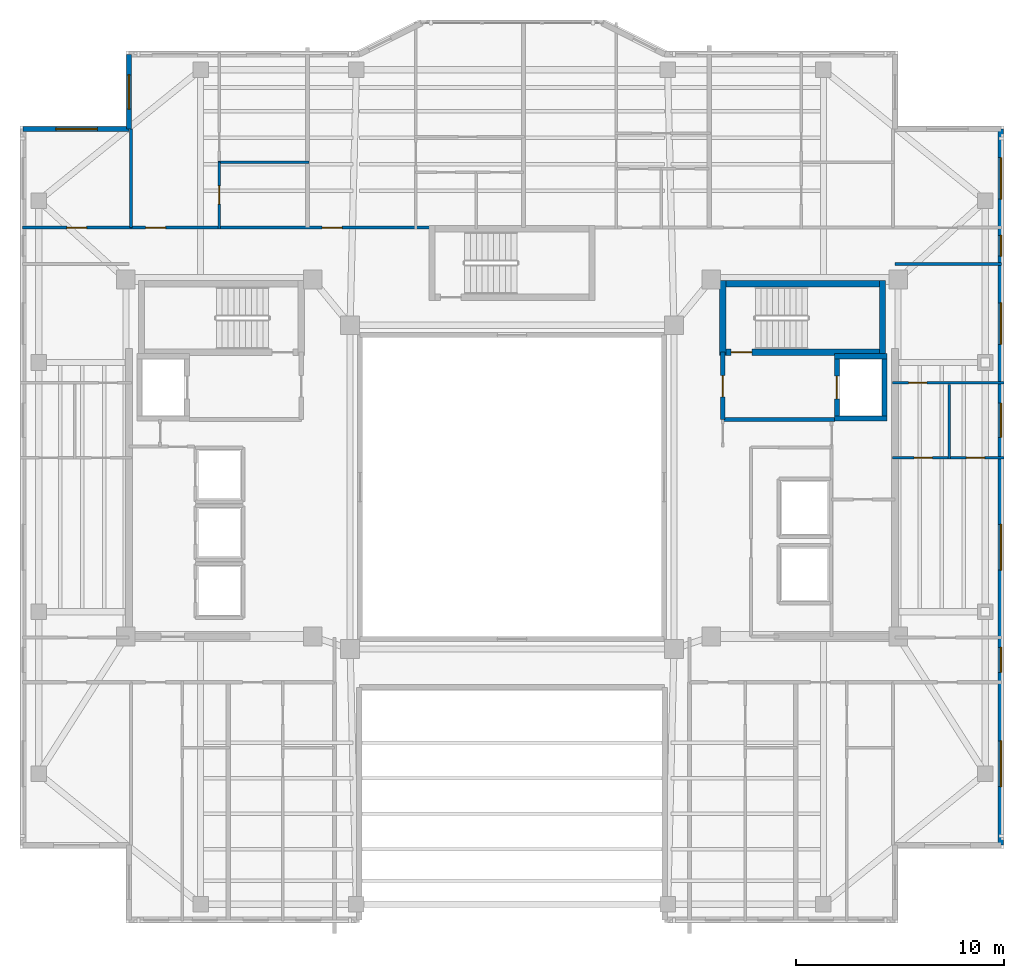
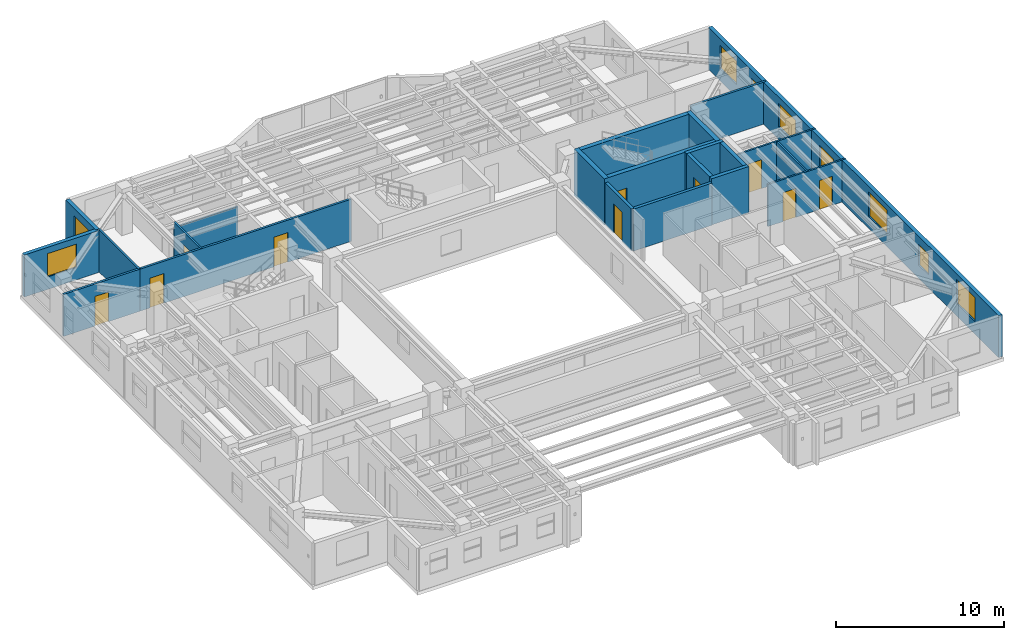
# One storey, part 8 of 13: 22 walls, 10 doors, 9 windows, 19 openings.
"""IFC4 building model written with IfcOpenShell, lengths in metres."""

from ifc_helpers import new_model, si_unit, direction, frame, frame_2d, origin, place, context, subcontext, project, spatial, rectangle, extrude, material, layer, layer_set, type_object, element, fill, save


model = new_model("IFC4")

# Units and contexts
model_context = context("Model", 3, precision=1e-05, world=origin(), true_north=direction((0.0, 1.0)))
body_context = subcontext(model_context, "Body", "Model", "MODEL_VIEW")
ifc_project = project(units=[si_unit("LENGTHUNIT", "METRE"), si_unit("AREAUNIT", "SQUARE_METRE"), si_unit("VOLUMEUNIT", "CUBIC_METRE"), si_unit("PLANEANGLEUNIT", "RADIAN"), si_unit("MASSUNIT", "GRAM", prefix="KILO")], contexts=[model_context])

# Site, building, storey
site_placement = place(None, origin())
site = spatial("IfcSite", under=ifc_project, at=site_placement, CompositionType="ELEMENT")
building_placement = place(site_placement, origin())
building = spatial("IfcBuilding", under=site, at=building_placement, Name="Tarnavaz Court Tower", CompositionType="ELEMENT")
storey_placement = place(building_placement, frame((0.0, 0.0, 223.75)))
storey = spatial("IfcBuildingStorey", under=building, at=storey_placement, Name="L61", CompositionType="ELEMENT", Elevation=223.75)

# Wall, opening, door
ifc_material_1 = material(Name="Concrete C50/60", Category="concrete")
ifc_layer_1 = layer(ifc_material_1, 0.25)
ifc_layer_set_1 = layer_set([ifc_layer_1], Name="Concrete C50/60")
wall_type_1 = type_object("IfcWallType", Name="WL-CORE-250-C50", PredefinedType="SHEAR", material=ifc_layer_set_1)
wall_1_placement = place(storey_placement, frame((15.64990234375, 3.175048828125, 0.0), z_axis=(0.0, 0.0, 1.0), x_axis=(0.0, 1.0, 0.0)))
wall_1 = element("IfcWall", 1, at=wall_1_placement, inside=storey, type_object=wall_type_1, Name="L61 Lift FL-E1 Shaft Wall 033", PredefinedType="SHEAR", context=body_context, shape_type="SweptSolid", body=[
    extrude(rectangle(XDim=3.25, YDim=0.25, at=frame_2d((1.625, 0.0))), origin(), (0.0, 0.0, 1.0), 3.35009765625),
])
opening_1_placement = place(wall_1_placement, frame((1.074951171875, 0.0, 0.0)))
opening_1 = element("IfcOpeningElement", 2, at=opening_1_placement, cuts=wall_1, Name="Opening LD1", PredefinedType="OPENING", context=body_context, shape_type="SweptSolid", body=[
    extrude(rectangle(XDim=1.10009765625, YDim=2.14990234375, at=frame_2d((0.550048828125, 1.074951171875))), frame((0.0, 0.135009765625, 0.0), z_axis=(0.0, -1.0, 0.0), x_axis=(1.0, 0.0, 0.0)), (0.0, 0.0, 1.0), 0.27001953125),
])
ifc_material_2 = material(Name="Stainless Steel", Category="steel")
door_type_1 = type_object("IfcDoorType", Name="DR-LD-1100", OperationType="NOTDEFINED", PredefinedType="DOOR", material=ifc_material_2)
door_1_placement = place(opening_1_placement, origin())
door_1 = element("IfcDoor", 3, at=door_1_placement, inside=storey, type_object=door_type_1, Name="L61 Lift Landing Door LD-FL-E1", OperationType="SLIDING_TO_LEFT", OverallHeight=2.14990234375, OverallWidth=1.10009765625, PredefinedType="DOOR", context=body_context, shape_type="SweptSolid", body=[
    extrude(rectangle(XDim=1.10009765625, YDim=2.14990234375, at=frame_2d((0.550048828125, 1.074951171875))), frame((0.0, 0.02490234375, 0.0), z_axis=(0.0, -1.0, 0.0), x_axis=(1.0, 0.0, 0.0)), (0.0, 0.0, 1.0), 0.050048828125),
])
fill(opening_1, door_1)

# Walls
wall_2_placement = place(storey_placement, frame((17.949951171875, 3.175048828125, 0.0), z_axis=(0.0, 0.0, 1.0), x_axis=(0.0, 1.0, 0.0)))
element("IfcWall", 4, at=wall_2_placement, inside=storey, type_object=wall_type_1, Name="L61 Lift FL-E1 Shaft Wall 034", PredefinedType="SHEAR", context=body_context, shape_type="SweptSolid", body=[
    extrude(rectangle(XDim=3.25, YDim=0.25, at=frame_2d((1.625, 0.0))), origin(), (0.0, 0.0, 1.0), 3.35009765625),
])
for number, where, z_axis, x_axis, name in (
    (5, (15.52490234375, 3.300048828125, 0.0), (0.0, 0.0, 1.0), (1.0, 0.0, 0.0), "L61 Lift FL-E1 Shaft Wall 035"),
    (6, (15.52490234375, 6.300048828125, 0.0), (0.0, 0.0, 1.0), (1.0, 0.0, 0.0), "L61 Lift FL-E1 Shaft Wall 036"),
):
    element("IfcWall", number, at=place(storey_placement, frame(where, z_axis=z_axis, x_axis=x_axis)), inside=storey, type_object=wall_type_1, Name=name, PredefinedType="SHEAR", context=body_context, shape_type="SweptSolid", body=[
        extrude(rectangle(XDim=2.550048828125, YDim=0.25, at=frame_2d((1.27490234375, 0.0))), origin(), (0.0, 0.0, 1.0), 3.35009765625),
    ])
ifc_layer_2 = layer(ifc_material_1, 0.300048828125)
ifc_layer_set_2 = layer_set([ifc_layer_2], Name="Concrete C50/60")
wall_type_2 = type_object("IfcWallType", Name="WL-CORE-300-C50", PredefinedType="SHEAR", material=ifc_layer_set_2)
wall_3_placement = place(storey_placement, frame((10.0, 9.7900390625, 0.0), z_axis=(0.0, 0.0, 1.0), x_axis=(1.0, 0.0, 0.0)))
element("IfcWall", 7, at=wall_3_placement, inside=storey, type_object=wall_type_2, Name="L61 East Stair Core Wall 005", PredefinedType="SHEAR", context=body_context, shape_type="SweptSolid", body=[
    extrude(rectangle(XDim=8.0, YDim=0.300048828125, at=frame_2d((4.0, 0.0))), origin(), (0.0, 0.0, 1.0), 3.35009765625),
])

# Wall, opening, door
wall_4_placement = place(storey_placement, frame((10.0, 6.5, 0.0), z_axis=(0.0, 0.0, 1.0), x_axis=(1.0, 0.0, 0.0)))
wall_4 = element("IfcWall", 8, at=wall_4_placement, inside=storey, type_object=wall_type_2, Name="L61 East Stair Core Wall 006", PredefinedType="SHEAR", context=body_context, shape_type="SweptSolid", body=[
    extrude(rectangle(XDim=8.0, YDim=0.300048828125, at=frame_2d((4.0, 0.0))), origin(), (0.0, 0.0, 1.0), 3.35009765625),
])
opening_2_placement = place(wall_4_placement, frame((0.550048828125, 0.0, 0.0)))
opening_2 = element("IfcOpeningElement", 9, at=opening_2_placement, cuts=wall_4, Name="Opening D01", PredefinedType="OPENING", context=body_context, shape_type="SweptSolid", body=[
    extrude(rectangle(XDim=1.0, YDim=2.14990234375, at=frame_2d((0.5, 1.074951171875))), frame((0.0, 0.159912109375, 0.0), z_axis=(0.0, -1.0, 0.0), x_axis=(1.0, 0.0, 0.0)), (0.0, 0.0, 1.0), 0.320068359375),
])
ifc_material_3 = material(Name="Fire-Rated Hardwood Timber Core", Category="wood")
door_type_2 = type_object("IfcDoorType", Name="DR-FD90-1000", OperationType="NOTDEFINED", PredefinedType="DOOR", material=ifc_material_3)
door_2_placement = place(opening_2_placement, origin())
door_2 = element("IfcDoor", 10, at=door_2_placement, inside=storey, type_object=door_type_2, Name="L61 Stair ST-E1 Exit Door", OperationType="SINGLE_SWING_RIGHT", OverallHeight=2.14990234375, OverallWidth=1.0, PredefinedType="DOOR", context=body_context, shape_type="SweptSolid", body=[
    extrude(rectangle(XDim=1.0, YDim=2.14990234375, at=frame_2d((0.5, 1.074951171875))), frame((0.0, 0.02490234375, 0.0), z_axis=(0.0, -1.0, 0.0), x_axis=(1.0, 0.0, 0.0)), (0.0, 0.0, 1.0), 0.050048828125),
])
fill(opening_2, door_2)

# Walls
for number, where, z_axis, x_axis, name in (
    (11, (10.14990234375, 6.35009765625, 0.0), (0.0, 0.0, 1.0), (0.0, 1.0, 0.0), "L61 East Stair Core Wall 007"),
    (12, (17.85009765625, 6.35009765625, 0.0), (0.0, 0.0, 1.0), (0.0, 1.0, 0.0), "L61 East Stair Core Wall 008"),
):
    element("IfcWall", number, at=place(storey_placement, frame(where, z_axis=z_axis, x_axis=x_axis)), inside=storey, type_object=wall_type_2, Name=name, PredefinedType="SHEAR", context=body_context, shape_type="SweptSolid", body=[
        extrude(rectangle(XDim=3.58984375, YDim=0.300048828125, at=frame_2d((1.794921875, 0.0))), origin(), (0.0, 0.0, 1.0), 3.35009765625),
    ])

# Wall, opening, window
ifc_material_4 = material(Name="Precast Concrete C40/50", Category="concrete")
ifc_layer_3 = layer(ifc_material_4, 0.260009765625)
ifc_layer_set_3 = layer_set([ifc_layer_3], Name="Precast Concrete C40/50")
wall_type_3 = type_object("IfcWallType", Name="WL-EXT-260", PredefinedType="SOLIDWALL", material=ifc_layer_set_3)
wall_5_placement = place(storey_placement, frame((-23.550048828125, 17.25, 0.0), z_axis=(0.0, 0.0, 1.0), x_axis=(1.0, 0.0, 0.0)))
wall_5 = element("IfcWall", 13, at=wall_5_placement, inside=storey, type_object=wall_type_3, Name="L61 Exterior Terracotta Facade Wall 03", PredefinedType="SOLIDWALL", context=body_context, shape_type="SweptSolid", body=[
    extrude(rectangle(XDim=5.10009765625, YDim=0.260009765625, at=frame_2d((2.550048828125, 0.0))), origin(), (0.0, 0.0, 1.0), 3.050048828125),
])
opening_3_placement = place(wall_5_placement, frame((1.574951171875, 0.0, 0.89990234375)))
opening_3 = element("IfcOpeningElement", 14, at=opening_3_placement, cuts=wall_5, Name="Opening W08", PredefinedType="OPENING", context=body_context, shape_type="SweptSolid", body=[
    extrude(rectangle(XDim=2.0, YDim=1.699951171875, at=frame_2d((1.0, 0.85009765625))), frame((0.0, 0.139892578125, 0.0), z_axis=(0.0, -1.0, 0.0), x_axis=(1.0, 0.0, 0.0)), (0.0, 0.0, 1.0), 0.280029296875),
])
ifc_material_5 = material(Name="Double-Glazed Solar Low-E Glass", Category="glass")
window_type_1 = type_object("IfcWindowType", Name="WN-APT-2000", PartitioningType="DOUBLE_PANEL_VERTICAL", PredefinedType="WINDOW", material=ifc_material_5)
window_1_placement = place(opening_3_placement, origin())
window_1 = element("IfcWindow", 15, at=window_1_placement, inside=storey, type_object=window_type_1, Name="L61 North-West Corner Sunroom Study Window", OverallHeight=1.699951171875, OverallWidth=2.0, PartitioningType="SINGLE_PANEL", PredefinedType="WINDOW", context=body_context, shape_type="SweptSolid", body=[
    extrude(rectangle(XDim=2.0, YDim=1.699951171875, at=frame_2d((1.0, 0.85009765625))), frame((0.0, 0.030029296875, 0.0), z_axis=(0.0, -1.0, 0.0), x_axis=(1.0, 0.0, 0.0)), (0.0, 0.0, 1.0), 0.06005859375),
])
fill(opening_3, window_1)

wall_6_placement = place(storey_placement, frame((-18.449951171875, 17.25, 0.0), z_axis=(0.0, 0.0, 1.0), x_axis=(0.0, 1.0, 0.0)))
wall_6 = element("IfcWall", 16, at=wall_6_placement, inside=storey, type_object=wall_type_3, Name="L61 Exterior Terracotta Facade Wall 04", PredefinedType="SOLIDWALL", context=body_context, shape_type="SweptSolid", body=[
    extrude(rectangle(XDim=3.60009765625, YDim=0.260009765625, at=frame_2d((1.800048828125, 0.0))), origin(), (0.0, 0.0, 1.0), 3.050048828125),
])
opening_4_placement = place(wall_6_placement, frame((0.95751953125, 0.0, 0.89990234375)))
opening_4 = element("IfcOpeningElement", 17, at=opening_4_placement, cuts=wall_6, Name="Opening W02", PredefinedType="OPENING", context=body_context, shape_type="SweptSolid", body=[
    extrude(rectangle(XDim=1.64990234375, YDim=1.60009765625, at=frame_2d((0.824951171875, 0.800048828125))), frame((0.0, 0.139892578125, 0.0), z_axis=(0.0, -1.0, 0.0), x_axis=(1.0, 0.0, 0.0)), (0.0, 0.0, 1.0), 0.280029296875),
])
window_type_2 = type_object("IfcWindowType", Name="WN-APT-1650", PartitioningType="DOUBLE_PANEL_VERTICAL", PredefinedType="WINDOW", material=ifc_material_5)
window_2_placement = place(opening_4_placement, origin())
window_2 = element("IfcWindow", 18, at=window_2_placement, inside=storey, type_object=window_type_2, Name="L61 Flat 01 Studio Living and Sleeping Room Window", OverallHeight=1.60009765625, OverallWidth=1.64990234375, PartitioningType="SINGLE_PANEL", PredefinedType="WINDOW", context=body_context, shape_type="SweptSolid", body=[
    extrude(rectangle(XDim=1.64990234375, YDim=1.60009765625, at=frame_2d((0.824951171875, 0.800048828125))), frame((0.0, 0.030029296875, 0.0), z_axis=(0.0, -1.0, 0.0), x_axis=(1.0, 0.0, 0.0)), (0.0, 0.0, 1.0), 0.06005859375),
])
fill(opening_4, window_2)

# Wall, openings, windows
wall_7_placement = place(storey_placement, frame((23.550048828125, 17.25, 0.0), z_axis=(0.0, 0.0, 1.0), x_axis=(0.0, -1.0, 0.0)))
wall_7 = element("IfcWall", 19, at=wall_7_placement, inside=storey, type_object=wall_type_3, Name="L61 Exterior Terracotta Facade Wall 12", PredefinedType="SOLIDWALL", context=body_context, shape_type="SweptSolid", body=[
    extrude(rectangle(XDim=34.5, YDim=0.260009765625, at=frame_2d((17.25, 0.0))), origin(), (0.0, 0.0, 1.0), 3.050048828125),
])
opening_5_placement = place(wall_7_placement, frame((1.375, 0.0, 0.89990234375)))
opening_5 = element("IfcOpeningElement", 20, at=opening_5_placement, cuts=wall_7, Name="Opening W08", PredefinedType="OPENING", context=body_context, shape_type="SweptSolid", body=[
    extrude(rectangle(XDim=2.0, YDim=1.699951171875, at=frame_2d((1.0, 0.85009765625))), frame((0.0, 0.139892578125, 0.0), z_axis=(0.0, -1.0, 0.0), x_axis=(1.0, 0.0, 0.0)), (0.0, 0.0, 1.0), 0.280029296875),
])
opening_6_placement = place(wall_7_placement, frame((5.125, 0.0, 0.949951171875)))
opening_6 = element("IfcOpeningElement", 21, at=opening_6_placement, cuts=wall_7, Name="Opening W14", PredefinedType="OPENING", context=body_context, shape_type="SweptSolid", body=[
    extrude(rectangle(XDim=1.0, YDim=1.5, at=frame_2d((0.5, 0.75))), frame((0.0, 0.139892578125, 0.0), z_axis=(0.0, -1.0, 0.0), x_axis=(1.0, 0.0, 0.0)), (0.0, 0.0, 1.0), 0.280029296875),
])
opening_7_placement = place(wall_7_placement, frame((8.375, 0.0, 0.89990234375)))
opening_7 = element("IfcOpeningElement", 22, at=opening_7_placement, cuts=wall_7, Name="Opening W08", PredefinedType="OPENING", context=body_context, shape_type="SweptSolid", body=[
    extrude(rectangle(XDim=2.0, YDim=1.699951171875, at=frame_2d((1.0, 0.85009765625))), frame((0.0, 0.139892578125, 0.0), z_axis=(0.0, -1.0, 0.0), x_axis=(1.0, 0.0, 0.0)), (0.0, 0.0, 1.0), 0.280029296875),
])
opening_8_placement = place(wall_7_placement, frame((13.199951171875, 0.0, 0.89990234375)))
opening_8 = element("IfcOpeningElement", 23, at=opening_8_placement, cuts=wall_7, Name="Opening W02", PredefinedType="OPENING", context=body_context, shape_type="SweptSolid", body=[
    extrude(rectangle(XDim=1.64990234375, YDim=1.60009765625, at=frame_2d((0.824951171875, 0.800048828125))), frame((0.0, 0.139892578125, 0.0), z_axis=(0.0, -1.0, 0.0), x_axis=(1.0, 0.0, 0.0)), (0.0, 0.0, 1.0), 0.280029296875),
])
opening_9_placement = place(wall_7_placement, frame((19.050048828125, 0.0, 0.89990234375)))
opening_9 = element("IfcOpeningElement", 24, at=opening_9_placement, cuts=wall_7, Name="Opening W07", PredefinedType="OPENING", context=body_context, shape_type="SweptSolid", body=[
    extrude(rectangle(XDim=2.199951171875, YDim=1.75, at=frame_2d((1.10009765625, 0.875))), frame((0.0, 0.139892578125, 0.0), z_axis=(0.0, -1.0, 0.0), x_axis=(1.0, 0.0, 0.0)), (0.0, 0.0, 1.0), 0.280029296875),
])
opening_10_placement = place(wall_7_placement, frame((24.97509765625, 0.0, 0.949951171875)))
opening_10 = element("IfcOpeningElement", 25, at=opening_10_placement, cuts=wall_7, Name="Opening W05", PredefinedType="OPENING", context=body_context, shape_type="SweptSolid", body=[
    extrude(rectangle(XDim=1.199951171875, YDim=1.5, at=frame_2d((0.60009765625, 0.75))), frame((0.0, 0.139892578125, 0.0), z_axis=(0.0, -1.0, 0.0), x_axis=(1.0, 0.0, 0.0)), (0.0, 0.0, 1.0), 0.280029296875),
])
opening_11_placement = place(wall_7_placement, frame((29.47509765625, 0.0, 0.89990234375)))
opening_11 = element("IfcOpeningElement", 26, at=opening_11_placement, cuts=wall_7, Name="Opening W07", PredefinedType="OPENING", context=body_context, shape_type="SweptSolid", body=[
    extrude(rectangle(XDim=2.199951171875, YDim=1.75, at=frame_2d((1.10009765625, 0.875))), frame((0.0, 0.139892578125, 0.0), z_axis=(0.0, -1.0, 0.0), x_axis=(1.0, 0.0, 0.0)), (0.0, 0.0, 1.0), 0.280029296875),
])
window_type_3 = type_object("IfcWindowType", Name="WN-APT-1000", PartitioningType="SINGLE_PANEL", PredefinedType="WINDOW", material=ifc_material_5)
window_3_placement = place(opening_6_placement, origin())
window_3 = element("IfcWindow", 27, at=window_3_placement, inside=storey, type_object=window_type_3, Name="L61 North-East Corner Corridor Window", OverallHeight=1.5, OverallWidth=1.0, PartitioningType="SINGLE_PANEL", PredefinedType="WINDOW", context=body_context, shape_type="SweptSolid", body=[
    extrude(rectangle(XDim=1.0, YDim=1.5, at=frame_2d((0.5, 0.75))), frame((0.0, 0.030029296875, 0.0), z_axis=(0.0, -1.0, 0.0), x_axis=(1.0, 0.0, 0.0)), (0.0, 0.0, 1.0), 0.06005859375),
])
fill(opening_6, window_3)
window_type_4 = type_object("IfcWindowType", Name="WN-APT-1200", PartitioningType="SINGLE_PANEL", PredefinedType="WINDOW", material=ifc_material_5)
window_4_placement = place(opening_10_placement, origin())
window_4 = element("IfcWindow", 28, at=window_4_placement, inside=storey, type_object=window_type_4, Name="L61 South-East Corner Corridor Window", OverallHeight=1.5, OverallWidth=1.199951171875, PartitioningType="SINGLE_PANEL", PredefinedType="WINDOW", context=body_context, shape_type="SweptSolid", body=[
    extrude(rectangle(XDim=1.199951171875, YDim=1.5, at=frame_2d((0.60009765625, 0.75))), frame((0.0, 0.030029296875, 0.0), z_axis=(0.0, -1.0, 0.0), x_axis=(1.0, 0.0, 0.0)), (0.0, 0.0, 1.0), 0.06005859375),
])
fill(opening_10, window_4)
window_5_placement = place(opening_8_placement, origin())
window_5 = element("IfcWindow", 29, at=window_5_placement, inside=storey, type_object=window_type_2, Name="L61 Flat 10 Bathroom Window", OverallHeight=1.60009765625, OverallWidth=1.64990234375, PartitioningType="SINGLE_PANEL", PredefinedType="WINDOW", context=body_context, shape_type="SweptSolid", body=[
    extrude(rectangle(XDim=1.64990234375, YDim=1.60009765625, at=frame_2d((0.824951171875, 0.800048828125))), frame((0.0, 0.030029296875, 0.0), z_axis=(0.0, -1.0, 0.0), x_axis=(1.0, 0.0, 0.0)), (0.0, 0.0, 1.0), 0.06005859375),
])
fill(opening_8, window_5)
window_6_placement = place(opening_5_placement, origin())
window_6 = element("IfcWindow", 30, at=window_6_placement, inside=storey, type_object=window_type_1, Name="L61 North-East Corner Sunroom Study Window", OverallHeight=1.699951171875, OverallWidth=2.0, PartitioningType="SINGLE_PANEL", PredefinedType="WINDOW", context=body_context, shape_type="SweptSolid", body=[
    extrude(rectangle(XDim=2.0, YDim=1.699951171875, at=frame_2d((1.0, 0.85009765625))), frame((0.0, 0.030029296875, 0.0), z_axis=(0.0, -1.0, 0.0), x_axis=(1.0, 0.0, 0.0)), (0.0, 0.0, 1.0), 0.06005859375),
])
fill(opening_5, window_6)
window_7_placement = place(opening_7_placement, origin())
window_7 = element("IfcWindow", 31, at=window_7_placement, inside=storey, type_object=window_type_1, Name="L61 Flat 10 Study Room Window", OverallHeight=1.699951171875, OverallWidth=2.0, PartitioningType="SINGLE_PANEL", PredefinedType="WINDOW", context=body_context, shape_type="SweptSolid", body=[
    extrude(rectangle(XDim=2.0, YDim=1.699951171875, at=frame_2d((1.0, 0.85009765625))), frame((0.0, 0.030029296875, 0.0), z_axis=(0.0, -1.0, 0.0), x_axis=(1.0, 0.0, 0.0)), (0.0, 0.0, 1.0), 0.06005859375),
])
fill(opening_7, window_7)
window_type_5 = type_object("IfcWindowType", Name="WN-APT-2200", PartitioningType="TRIPLE_PANEL_VERTICAL", PredefinedType="WINDOW", material=ifc_material_5)
window_8_placement = place(opening_9_placement, origin())
window_8 = element("IfcWindow", 32, at=window_8_placement, inside=storey, type_object=window_type_5, Name="L61 Flat 10 Studio Living and Sleeping Room Window", OverallHeight=1.75, OverallWidth=2.199951171875, PartitioningType="SINGLE_PANEL", PredefinedType="WINDOW", context=body_context, shape_type="SweptSolid", body=[
    extrude(rectangle(XDim=2.199951171875, YDim=1.75, at=frame_2d((1.10009765625, 0.875))), frame((0.0, 0.030029296875, 0.0), z_axis=(0.0, -1.0, 0.0), x_axis=(1.0, 0.0, 0.0)), (0.0, 0.0, 1.0), 0.06005859375),
])
fill(opening_9, window_8)
window_9_placement = place(opening_11_placement, origin())
window_9 = element("IfcWindow", 33, at=window_9_placement, inside=storey, type_object=window_type_5, Name="L61 South-East Corner Reading Room Window", OverallHeight=1.75, OverallWidth=2.199951171875, PartitioningType="SINGLE_PANEL", PredefinedType="WINDOW", context=body_context, shape_type="SweptSolid", body=[
    extrude(rectangle(XDim=2.199951171875, YDim=1.75, at=frame_2d((1.10009765625, 0.875))), frame((0.0, 0.030029296875, 0.0), z_axis=(0.0, -1.0, 0.0), x_axis=(1.0, 0.0, 0.0)), (0.0, 0.0, 1.0), 0.06005859375),
])
fill(opening_11, window_9)

# Wall, openings, doors
ifc_material_6 = material(Name="Gypsum Fire-Board on Acoustic Metal Stud", Category="masonry")
ifc_layer_4 = layer(ifc_material_6, 0.14990234375)
ifc_layer_set_4 = layer_set([ifc_layer_4], Name="Gypsum Fire-Board on Acoustic Metal Stud")
wall_type_4 = type_object("IfcWallType", Name="WL-FIRE-150", PredefinedType="PARTITIONING", material=ifc_layer_set_4)
wall_8_placement = place(storey_placement, frame((-18.35009765625, 12.5, 0.0), z_axis=(0.0, 0.0, 1.0), x_axis=(1.0, 0.0, 0.0)))
wall_8 = element("IfcWall", 34, at=wall_8_placement, inside=storey, type_object=wall_type_4, Name="L61 NW Wing Corridor Wall 058", PredefinedType="PARTITIONING", context=body_context, shape_type="SweptSolid", body=[
    extrude(rectangle(XDim=14.5, YDim=0.14990234375, at=frame_2d((7.25, 0.0))), origin(), (0.0, 0.0, 1.0), 3.050048828125),
])
opening_12_placement = place(wall_8_placement, frame((0.699951171875, 0.0, 0.0)))
opening_12 = element("IfcOpeningElement", 35, at=opening_12_placement, cuts=wall_8, Name="Opening D06", PredefinedType="OPENING", context=body_context, shape_type="SweptSolid", body=[
    extrude(rectangle(XDim=0.9599609375, YDim=2.14990234375, at=frame_2d((0.47998046875, 1.074951171875))), frame((0.0, 0.0849609375, 0.0), z_axis=(0.0, -1.0, 0.0), x_axis=(1.0, 0.0, 0.0)), (0.0, 0.0, 1.0), 0.169921875),
])
opening_13_placement = place(wall_8_placement, frame((9.205078125, 0.0, 0.0)))
opening_13 = element("IfcOpeningElement", 36, at=opening_13_placement, cuts=wall_8, Name="Opening D06", PredefinedType="OPENING", context=body_context, shape_type="SweptSolid", body=[
    extrude(rectangle(XDim=0.9599609375, YDim=2.14990234375, at=frame_2d((0.47998046875, 1.074951171875))), frame((0.0, 0.0849609375, 0.0), z_axis=(0.0, -1.0, 0.0), x_axis=(1.0, 0.0, 0.0)), (0.0, 0.0, 1.0), 0.169921875),
])
door_type_3 = type_object("IfcDoorType", Name="DR-FD60-950", OperationType="NOTDEFINED", PredefinedType="DOOR", material=ifc_material_3)
door_3_placement = place(opening_12_placement, origin())
door_3 = element("IfcDoor", 37, at=door_3_placement, inside=storey, type_object=door_type_3, Name="L61 Flat 01 Entrance Door", OperationType="SINGLE_SWING_RIGHT", OverallHeight=2.14990234375, OverallWidth=0.9599609375, PredefinedType="DOOR", context=body_context, shape_type="SweptSolid", body=[
    extrude(rectangle(XDim=0.9599609375, YDim=2.14990234375, at=frame_2d((0.47998046875, 1.074951171875))), frame((0.0, 0.02490234375, 0.0), z_axis=(0.0, -1.0, 0.0), x_axis=(1.0, 0.0, 0.0)), (0.0, 0.0, 1.0), 0.050048828125),
])
fill(opening_12, door_3)
door_4_placement = place(opening_13_placement, origin())
door_4 = element("IfcDoor", 38, at=door_4_placement, inside=storey, type_object=door_type_3, Name="L61 Flat 02 Entrance Door", OperationType="SINGLE_SWING_LEFT", OverallHeight=2.14990234375, OverallWidth=0.9599609375, PredefinedType="DOOR", context=body_context, shape_type="SweptSolid", body=[
    extrude(rectangle(XDim=0.9599609375, YDim=2.14990234375, at=frame_2d((0.47998046875, 1.074951171875))), frame((0.0, 0.02490234375, 0.0), z_axis=(0.0, -1.0, 0.0), x_axis=(1.0, 0.0, 0.0)), (0.0, 0.0, 1.0), 0.050048828125),
])
fill(opening_13, door_4)

# Wall
wall_9_placement = place(storey_placement, frame((18.449951171875, 10.75, 0.0), z_axis=(0.0, 0.0, 1.0), x_axis=(1.0, 0.0, 0.0)))
element("IfcWall", 39, at=wall_9_placement, inside=storey, type_object=wall_type_4, Name="L61 Interior Partition 102", PredefinedType="PARTITIONING", context=body_context, shape_type="SweptSolid", body=[
    extrude(rectangle(XDim=5.130126953125, YDim=0.14990234375, at=frame_2d((2.56494140625, 0.0))), origin(), (0.0, 0.0, 1.0), 3.050048828125),
])

# Wall, opening, door
wall_10_placement = place(storey_placement, frame((-23.580078125, 12.5, 0.0), z_axis=(0.0, 0.0, 1.0), x_axis=(1.0, 0.0, 0.0)))
wall_10 = element("IfcWall", 40, at=wall_10_placement, inside=storey, type_object=wall_type_4, Name="L61 Interior Partition 107", PredefinedType="PARTITIONING", context=body_context, shape_type="SweptSolid", body=[
    extrude(rectangle(XDim=5.22998046875, YDim=0.14990234375, at=frame_2d((2.614990234375, 0.0))), origin(), (0.0, 0.0, 1.0), 3.050048828125),
])
opening_14_placement = place(wall_10_placement, frame((2.139892578125, 0.0, 0.0)))
opening_14 = element("IfcOpeningElement", 41, at=opening_14_placement, cuts=wall_10, Name="Opening D13", PredefinedType="OPENING", context=body_context, shape_type="SweptSolid", body=[
    extrude(rectangle(XDim=0.949951171875, YDim=2.14990234375, at=frame_2d((0.47509765625, 1.074951171875))), frame((0.0, 0.0849609375, 0.0), z_axis=(0.0, -1.0, 0.0), x_axis=(1.0, 0.0, 0.0)), (0.0, 0.0, 1.0), 0.169921875),
])
ifc_material_7 = material(Name="Engineered Oak Timber", Category="wood")
door_type_4 = type_object("IfcDoorType", Name="DR-INT-950", OperationType="NOTDEFINED", PredefinedType="DOOR", material=ifc_material_7)
door_5_placement = place(opening_14_placement, origin())
door_5 = element("IfcDoor", 42, at=door_5_placement, inside=storey, type_object=door_type_4, Name="L61 NW Sunroom Door", OperationType="SINGLE_SWING_RIGHT", OverallHeight=2.14990234375, OverallWidth=0.949951171875, PredefinedType="DOOR", context=body_context, shape_type="SweptSolid", body=[
    extrude(rectangle(XDim=0.949951171875, YDim=2.14990234375, at=frame_2d((0.47509765625, 1.074951171875))), frame((0.0, 0.02490234375, 0.0), z_axis=(0.0, -1.0, 0.0), x_axis=(1.0, 0.0, 0.0)), (0.0, 0.0, 1.0), 0.050048828125),
])
fill(opening_14, door_5)

# Wall
ifc_material_8 = material(Name="Autoclaved Aerated Concrete Blockwork", Category="masonry")
ifc_layer_5 = layer(ifc_material_8, 0.199951171875)
ifc_layer_set_5 = layer_set([ifc_layer_5], Name="Autoclaved Aerated Concrete Blockwork")
wall_type_5 = type_object("IfcWallType", Name="WL-FIRE-200", PredefinedType="SOLIDWALL", material=ifc_layer_set_5)
wall_11_placement = place(storey_placement, frame((10.14990234375, 3.25, 0.0), z_axis=(0.0, 0.0, 1.0), x_axis=(1.0, 0.0, 0.0)))
element("IfcWall", 43, at=wall_11_placement, inside=storey, type_object=wall_type_5, Name="L61 East Firefighting Lobby Wall 015", PredefinedType="SOLIDWALL", context=body_context, shape_type="SweptSolid", body=[
    extrude(rectangle(XDim=5.400146484375, YDim=0.199951171875, at=frame_2d((2.7001953125, 0.0))), origin(), (0.0, 0.0, 1.0), 3.050048828125),
])

# Wall, opening, door
wall_12_placement = place(storey_placement, frame((10.14990234375, 3.25, 0.0), z_axis=(0.0, 0.0, 1.0), x_axis=(0.0, 1.0, 0.0)))
wall_12 = element("IfcWall", 44, at=wall_12_placement, inside=storey, type_object=wall_type_5, Name="L61 East Firefighting Lobby Wall 016", PredefinedType="SOLIDWALL", context=body_context, shape_type="SweptSolid", body=[
    extrude(rectangle(XDim=3.25, YDim=0.199951171875, at=frame_2d((1.625, 0.0))), origin(), (0.0, 0.0, 1.0), 3.050048828125),
])
opening_15_placement = place(wall_12_placement, frame((1.10009765625, 0.0, 0.0)))
opening_15 = element("IfcOpeningElement", 45, at=opening_15_placement, cuts=wall_12, Name="Opening D05", PredefinedType="OPENING", context=body_context, shape_type="SweptSolid", body=[
    extrude(rectangle(XDim=1.02001953125, YDim=2.14990234375, at=frame_2d((0.510009765625, 1.074951171875))), frame((0.0, 0.10986328125, 0.0), z_axis=(0.0, -1.0, 0.0), x_axis=(1.0, 0.0, 0.0)), (0.0, 0.0, 1.0), 0.219970703125),
])
door_type_5 = type_object("IfcDoorType", Name="DR-FD60-1000", OperationType="NOTDEFINED", PredefinedType="DOOR", material=ifc_material_3)
door_6_placement = place(opening_15_placement, origin())
door_6 = element("IfcDoor", 46, at=door_6_placement, inside=storey, type_object=door_type_5, Name="L61 East Firefighting Lobby Door", OperationType="SINGLE_SWING_LEFT", OverallHeight=2.14990234375, OverallWidth=1.02001953125, PredefinedType="DOOR", context=body_context, shape_type="SweptSolid", body=[
    extrude(rectangle(XDim=1.02001953125, YDim=2.14990234375, at=frame_2d((0.510009765625, 1.074951171875))), frame((0.0, 0.02490234375, 0.0), z_axis=(0.0, -1.0, 0.0), x_axis=(1.0, 0.0, 0.0)), (0.0, 0.0, 1.0), 0.050048828125),
])
fill(opening_15, door_6)

ifc_material_9 = material(Name="Moisture-Resistant Gypsum Board Partition", Category="masonry")
ifc_layer_6 = layer(ifc_material_9, 0.1201171875)
ifc_layer_set_6 = layer_set([ifc_layer_6], Name="Moisture-Resistant Gypsum Board Partition")
wall_type_6 = type_object("IfcWallType", Name="WL-PART-120", PredefinedType="PARTITIONING", material=ifc_layer_set_6)
wall_13_placement = place(storey_placement, frame((-14.097900390625, 12.43994140625, 0.0), z_axis=(0.0, 0.0, 1.0), x_axis=(0.0, 1.0, 0.0)))
wall_13 = element("IfcWall", 47, at=wall_13_placement, inside=storey, type_object=wall_type_6, Name="L61 Interior Partition 066", PredefinedType="PARTITIONING", context=body_context, shape_type="SweptSolid", body=[
    extrude(rectangle(XDim=3.2099609375, YDim=0.1201171875, at=frame_2d((1.60498046875, 0.0))), origin(), (0.0, 0.0, 1.0), 3.050048828125),
])
opening_16_placement = place(wall_13_placement, frame((1.195068359375, 0.0, 0.0)))
opening_16 = element("IfcOpeningElement", 48, at=opening_16_placement, cuts=wall_13, Name="Opening D14", PredefinedType="OPENING", context=body_context, shape_type="SweptSolid", body=[
    extrude(rectangle(XDim=0.8798828125, YDim=2.10009765625, at=frame_2d((0.43994140625, 1.050048828125))), frame((0.0, 0.070068359375, 0.0), z_axis=(0.0, -1.0, 0.0), x_axis=(1.0, 0.0, 0.0)), (0.0, 0.0, 1.0), 0.14013671875),
])
door_type_6 = type_object("IfcDoorType", Name="DR-INT-900", OperationType="NOTDEFINED", PredefinedType="DOOR", material=ifc_material_7)
door_7_placement = place(opening_16_placement, origin())
door_7 = element("IfcDoor", 49, at=door_7_placement, inside=storey, type_object=door_type_6, Name="L61 Flat 01 Bathroom Door", OperationType="SINGLE_SWING_LEFT", OverallHeight=2.10009765625, OverallWidth=0.8798828125, PredefinedType="DOOR", context=body_context, shape_type="SweptSolid", body=[
    extrude(rectangle(XDim=0.8798828125, YDim=2.10009765625, at=frame_2d((0.43994140625, 1.050048828125))), frame((0.0, 0.02490234375, 0.0), z_axis=(0.0, -1.0, 0.0), x_axis=(1.0, 0.0, 0.0)), (0.0, 0.0, 1.0), 0.050048828125),
])
fill(opening_16, door_7)

# Wall
wall_14_placement = place(storey_placement, frame((-14.157958984375, 15.64990234375, 0.0), z_axis=(0.0, 0.0, 1.0), x_axis=(1.0, 0.0, 0.0)))
element("IfcWall", 50, at=wall_14_placement, inside=storey, type_object=wall_type_6, Name="L61 Interior Partition 068", PredefinedType="PARTITIONING", context=body_context, shape_type="SweptSolid", body=[
    extrude(rectangle(XDim=4.373046875, YDim=0.1201171875, at=frame_2d((2.1865234375, 0.0))), origin(), (0.0, 0.0, 1.0), 2.675048828125),
])

# Wall, openings, doors
wall_15_placement = place(storey_placement, frame((18.330078125, 1.419921875, 0.0), z_axis=(0.0, 0.0, 1.0), x_axis=(1.0, 0.0, 0.0)))
wall_15 = element("IfcWall", 51, at=wall_15_placement, inside=storey, type_object=wall_type_6, Name="L61 Interior Partition 114", PredefinedType="PARTITIONING", context=body_context, shape_type="SweptSolid", body=[
    extrude(rectangle(XDim=5.369873046875, YDim=0.1201171875, at=frame_2d((2.68505859375, 0.0))), origin(), (0.0, 0.0, 1.0), 3.050048828125),
])
opening_17_placement = place(wall_15_placement, frame((1.0380859375, 0.0, 0.0)))
opening_17 = element("IfcOpeningElement", 52, at=opening_17_placement, cuts=wall_15, Name="Opening D14", PredefinedType="OPENING", context=body_context, shape_type="SweptSolid", body=[
    extrude(rectangle(XDim=0.8798828125, YDim=2.10009765625, at=frame_2d((0.43994140625, 1.050048828125))), frame((0.0, 0.070068359375, 0.0), z_axis=(0.0, -1.0, 0.0), x_axis=(1.0, 0.0, 0.0)), (0.0, 0.0, 1.0), 0.14013671875),
])
opening_18_placement = place(wall_15_placement, frame((3.552978515625, 0.0, 0.0)))
opening_18 = element("IfcOpeningElement", 53, at=opening_18_placement, cuts=wall_15, Name="Opening D14", PredefinedType="OPENING", context=body_context, shape_type="SweptSolid", body=[
    extrude(rectangle(XDim=0.8798828125, YDim=2.10009765625, at=frame_2d((0.43994140625, 1.050048828125))), frame((0.0, 0.070068359375, 0.0), z_axis=(0.0, -1.0, 0.0), x_axis=(1.0, 0.0, 0.0)), (0.0, 0.0, 1.0), 0.14013671875),
])
door_8_placement = place(opening_17_placement, origin())
door_8 = element("IfcDoor", 54, at=door_8_placement, inside=storey, type_object=door_type_6, Name="L61 Flat 10 Kitchen Door", OperationType="SINGLE_SWING_LEFT", OverallHeight=2.10009765625, OverallWidth=0.8798828125, PredefinedType="DOOR", context=body_context, shape_type="SweptSolid", body=[
    extrude(rectangle(XDim=0.8798828125, YDim=2.10009765625, at=frame_2d((0.43994140625, 1.050048828125))), frame((0.0, 0.02490234375, 0.0), z_axis=(0.0, -1.0, 0.0), x_axis=(1.0, 0.0, 0.0)), (0.0, 0.0, 1.0), 0.050048828125),
])
fill(opening_17, door_8)
door_9_placement = place(opening_18_placement, origin())
door_9 = element("IfcDoor", 55, at=door_9_placement, inside=storey, type_object=door_type_6, Name="L61 Flat 10 Bathroom Door", OperationType="SINGLE_SWING_RIGHT", OverallHeight=2.10009765625, OverallWidth=0.8798828125, PredefinedType="DOOR", context=body_context, shape_type="SweptSolid", body=[
    extrude(rectangle(XDim=0.8798828125, YDim=2.10009765625, at=frame_2d((0.43994140625, 1.050048828125))), frame((0.0, 0.02490234375, 0.0), z_axis=(0.0, -1.0, 0.0), x_axis=(1.0, 0.0, 0.0)), (0.0, 0.0, 1.0), 0.050048828125),
])
fill(opening_18, door_9)

# Wall, opening, door
wall_16_placement = place(storey_placement, frame((18.330078125, 5.02001953125, 0.0), z_axis=(0.0, 0.0, 1.0), x_axis=(1.0, 0.0, 0.0)))
wall_16 = element("IfcWall", 56, at=wall_16_placement, inside=storey, type_object=wall_type_6, Name="L61 Interior Partition 115", PredefinedType="PARTITIONING", context=body_context, shape_type="SweptSolid", body=[
    extrude(rectangle(XDim=5.369873046875, YDim=0.1201171875, at=frame_2d((2.68505859375, 0.0))), origin(), (0.0, 0.0, 1.0), 3.050048828125),
])
opening_19_placement = place(wall_16_placement, frame((0.77001953125, 0.0, 0.0)))
opening_19 = element("IfcOpeningElement", 57, at=opening_19_placement, cuts=wall_16, Name="Opening D14", PredefinedType="OPENING", context=body_context, shape_type="SweptSolid", body=[
    extrude(rectangle(XDim=0.8798828125, YDim=2.10009765625, at=frame_2d((0.43994140625, 1.050048828125))), frame((0.0, 0.070068359375, 0.0), z_axis=(0.0, -1.0, 0.0), x_axis=(1.0, 0.0, 0.0)), (0.0, 0.0, 1.0), 0.14013671875),
])
door_10_placement = place(opening_19_placement, origin())
door_10 = element("IfcDoor", 58, at=door_10_placement, inside=storey, type_object=door_type_6, Name="L61 Flat 10 Study Door", OperationType="SINGLE_SWING_LEFT", OverallHeight=2.10009765625, OverallWidth=0.8798828125, PredefinedType="DOOR", context=body_context, shape_type="SweptSolid", body=[
    extrude(rectangle(XDim=0.8798828125, YDim=2.10009765625, at=frame_2d((0.43994140625, 1.050048828125))), frame((0.0, 0.02490234375, 0.0), z_axis=(0.0, -1.0, 0.0), x_axis=(1.0, 0.0, 0.0)), (0.0, 0.0, 1.0), 0.050048828125),
])
fill(opening_19, door_10)

# Walls
wall_17_placement = place(storey_placement, frame((21.06494140625, 1.360107421875, 0.0), z_axis=(0.0, 0.0, 1.0), x_axis=(0.0, 1.0, 0.0)))
element("IfcWall", 59, at=wall_17_placement, inside=storey, type_object=wall_type_6, Name="L61 Interior Partition 116", PredefinedType="PARTITIONING", context=body_context, shape_type="SweptSolid", body=[
    extrude(rectangle(XDim=3.579833984375, YDim=0.1201171875, at=frame_2d((1.7900390625, 0.0))), origin(), (0.0, 0.0, 1.0), 3.050048828125),
])
ifc_material_10 = material(Name="Gypsum Plasterboard Acoustic Partition", Category="masonry")
ifc_layer_7 = layer(ifc_material_10, 0.139892578125)
ifc_layer_set_7 = layer_set([ifc_layer_7], Name="Gypsum Plasterboard Acoustic Partition")
wall_type_7 = type_object("IfcWallType", Name="WL-PART-150", PredefinedType="PARTITIONING", material=ifc_layer_set_7)
wall_18_placement = place(storey_placement, frame((-18.35009765625, 12.5, 0.0), z_axis=(0.0, 0.0, 1.0), x_axis=(0.0, 1.0, 0.0)))
element("IfcWall", 60, at=wall_18_placement, inside=storey, type_object=wall_type_7, Name="L61 Interior Partition 105", PredefinedType="PARTITIONING", context=body_context, shape_type="SweptSolid", body=[
    extrude(rectangle(XDim=4.75, YDim=0.139892578125, at=frame_2d((2.375, 0.0))), origin(), (0.0, 0.0, 1.0), 3.050048828125),
])

save(model, "model.ifc")
